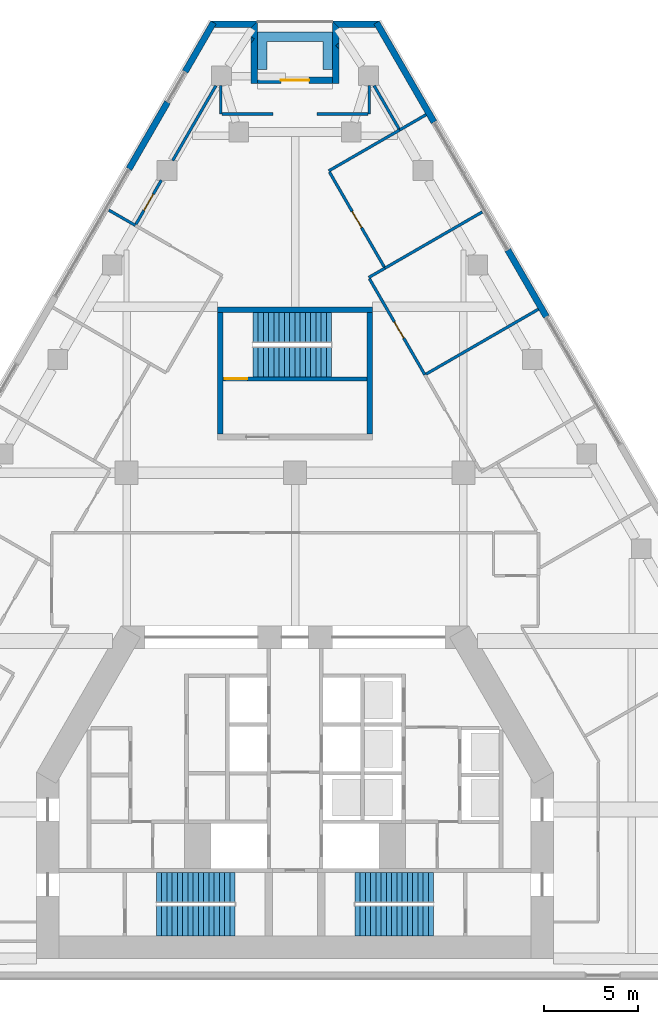
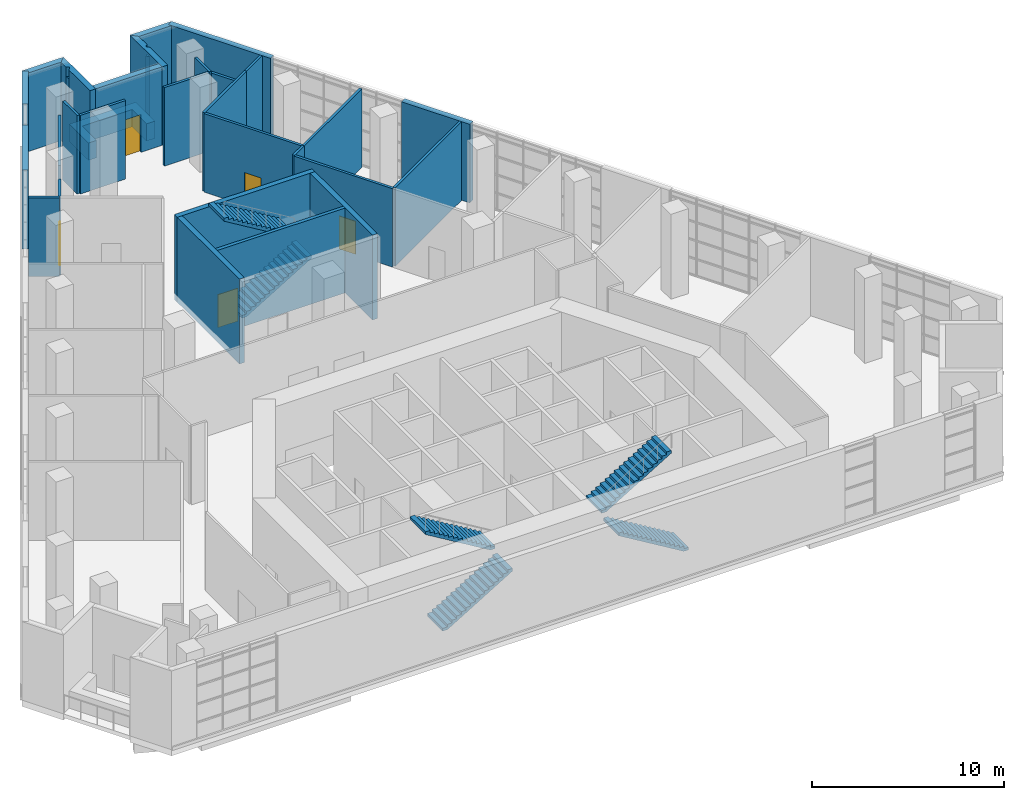
# One storey, part 16 of 18: 31 walls, 6 stair flights, 5 doors, 5 openings, 3 elements without a shape of their own.
"""IFC4 building model written with IfcOpenShell, lengths in metres."""

from ifc_helpers import new_model, si_unit, direction, frame, frame_2d, origin, place, context, subcontext, project, spatial, polyline, rectangle, outline, extrude, material, layer, layer_set, type_object, element, fill, aggregate, save


model = new_model("IFC4")

# Units and contexts
model_context = context("Model", 3, precision=1e-05, world=origin(), true_north=direction((0.0, 1.0)))
body_context = subcontext(model_context, "Body", "Model", "MODEL_VIEW")
ifc_project = project(units=[si_unit("LENGTHUNIT", "METRE"), si_unit("AREAUNIT", "SQUARE_METRE"), si_unit("VOLUMEUNIT", "CUBIC_METRE"), si_unit("PLANEANGLEUNIT", "RADIAN"), si_unit("MASSUNIT", "GRAM", prefix="KILO")], contexts=[model_context])

# Site, building, storey
site_placement = place(None, origin())
site = spatial("IfcSite", under=ifc_project, at=site_placement, CompositionType="ELEMENT")
building_placement = place(site_placement, origin())
building = spatial("IfcBuilding", under=site, at=building_placement, Name="Fogline Exchange Tower", CompositionType="ELEMENT")
storey_placement = place(building_placement, frame((0.0, 0.0, 137.5)))
storey = spatial("IfcBuildingStorey", under=building, at=storey_placement, Name="L30", CompositionType="ELEMENT", Elevation=137.5)

# Wall, opening, door
ifc_material_1 = material(Name="Concrete C40", Category="concrete")
ifc_layer_1 = layer(ifc_material_1, 0.199951171875)
ifc_layer_set_1 = layer_set([ifc_layer_1], Name="CW20R")
wall_type_1 = type_object("IfcWallType", Name="CW20R", PredefinedType="SOLIDWALL", material=ifc_layer_set_1)
wall_1_placement = place(storey_placement, frame((-3.85009765625, 32.007080078125, -0.39990234375), z_axis=(0.0, 0.0, 1.0), x_axis=(1.0, 0.0, 0.0)))
wall_1 = element("IfcWall", 1, at=wall_1_placement, inside=storey, type_object=wall_type_1, Name="Stair enclosure wall ST3", PredefinedType="SOLIDWALL", context=body_context, shape_type="SweptSolid", body=[
    extrude(rectangle(XDim=7.7001953125, YDim=0.199951171875, at=frame_2d((3.85009765625, 0.0))), origin(), (0.0, 0.0, 1.0), 5.39990234375),
])
opening_1_placement = place(wall_1_placement, frame((0.10009765625, 0.0, 0.39990234375)))
opening_1 = element("IfcOpeningElement", 2, at=opening_1_placement, cuts=wall_1, Name="Opening T09-C023", PredefinedType="OPENING", context=body_context, shape_type="SweptSolid", body=[
    extrude(rectangle(XDim=1.199951171875, YDim=2.10009765625, at=frame_2d((0.60009765625, 1.050048828125))), frame((0.0, 0.10986328125, 0.0), z_axis=(0.0, -1.0, 0.0), x_axis=(1.0, 0.0, 0.0)), (0.0, 0.0, 1.0), 0.219970703125),
])
ifc_material_2 = material(Name="Steel and timber fire door", Category="steel")
door_type_1 = type_object("IfcDoorType", Name="D-ST1", OperationType="SINGLE_SWING_LEFT", PredefinedType="DOOR", material=ifc_material_2)
door_1_placement = place(opening_1_placement, origin())
door_1 = element("IfcDoor", 3, at=door_1_placement, inside=storey, type_object=door_type_1, Name="Stair door ST3", OperationType="SINGLE_SWING_LEFT", OverallHeight=2.10009765625, OverallWidth=1.199951171875, PredefinedType="DOOR", context=body_context, shape_type="SweptSolid", body=[
    extrude(rectangle(XDim=1.199951171875, YDim=2.10009765625, at=frame_2d((0.60009765625, 1.050048828125))), frame((0.0, 0.02490234375, 0.0), z_axis=(0.0, -1.0, 0.0), x_axis=(1.0, 0.0, 0.0)), (0.0, 0.0, 1.0), 0.050048828125),
])
fill(opening_1, door_1)

# Walls
ifc_layer_2 = layer(ifc_material_1, 0.300048828125)
ifc_layer_set_2 = layer_set([ifc_layer_2], Name="CW30")
wall_type_2 = type_object("IfcWallType", Name="CW30", PredefinedType="SOLIDWALL", material=ifc_layer_set_2)
wall_2_placement = place(storey_placement, frame((-4.14990234375, 35.70703125, -0.39990234375), z_axis=(0.0, 0.0, 1.0), x_axis=(1.0, 0.0, 0.0)))
element("IfcWall", 4, at=wall_2_placement, inside=storey, type_object=wall_type_2, Name="Stair enclosure wall ST3", PredefinedType="SOLIDWALL", context=body_context, shape_type="SweptSolid", body=[
    extrude(rectangle(XDim=8.2998046875, YDim=0.300048828125, at=frame_2d((4.14990234375, 0.0))), origin(), (0.0, 0.0, 1.0), 5.39990234375),
])
for number, where, z_axis, x_axis, name in (
    (5, (-4.0, 29.056884765625, -0.39990234375), (0.0, 0.0, 1.0), (0.0, 1.0, 0.0), "Stair enclosure wall ST3"),
    (6, (4.0, 29.056884765625, -0.39990234375), (0.0, 0.0, 1.0), (0.0, 1.0, 0.0), "Stair enclosure wall ST3"),
):
    element("IfcWall", number, at=place(storey_placement, frame(where, z_axis=z_axis, x_axis=x_axis)), inside=storey, type_object=wall_type_2, Name=name, PredefinedType="SOLIDWALL", context=body_context, shape_type="SweptSolid", body=[
        extrude(rectangle(XDim=6.5, YDim=0.300048828125, at=frame_2d((3.25, 0.0))), origin(), (0.0, 0.0, 1.0), 5.39990234375),
    ])
ifc_material_3 = material(Name="Brick masonry", Category="masonry")
ifc_layer_3 = layer(ifc_material_3, 0.340087890625)
ifc_layer_set_3 = layer_set([ifc_layer_3], Name="FW1")
wall_type_3 = type_object("IfcWallType", Name="FW1", PredefinedType="SOLIDWALL", material=ifc_layer_set_3)
wall_3_placement = place(storey_placement, frame((13.426025390625, 35.33154296875, 0.0), z_axis=(0.0, 0.0, 1.0), x_axis=(-0.500018604663, 0.866014662111, 0.0)))
element("IfcWall", 7, at=wall_3_placement, inside=storey, type_object=wall_type_3, Name="Brick wall L30 E bay 4", PredefinedType="SOLIDWALL", context=body_context, shape_type="SweptSolid", body=[
    extrude(rectangle(XDim=4.114990234375, YDim=0.340087890625, at=frame_2d((2.0576171875, 0.0))), origin(), (0.0, 0.0, 1.0), 5.0),
])
wall_4_placement = place(storey_placement, frame((7.426025390625, 45.723876953125, 0.0), z_axis=(0.0, 0.0, 1.0), x_axis=(-0.500018155671, 0.866014921349, 0.0)))
element("IfcWall", 8, at=wall_4_placement, inside=storey, type_object=wall_type_3, Name="Brick wall L30 E bay 5", PredefinedType="SOLIDWALL", context=body_context, shape_type="SweptSolid", body=[
    extrude(rectangle(XDim=6.146240234375, YDim=0.340087890625, at=frame_2d((3.0732421875, 0.0))), origin(), (0.0, 0.0, 1.0), 5.0),
])
wall_5_placement = place(storey_placement, origin())
element("IfcWall", 9, at=wall_5_placement, inside=storey, type_object=wall_type_3, Name="Brick wall L30 N-c1", PredefinedType="SOLIDWALL", context=body_context, shape_type="SweptSolid", body=[
    extrude(outline(polyline([(1.9990234375, 51.13232421875), (4.5009765625, 51.13232421875), (4.501220703125, 51.131591796875), (4.206298828125, 50.96142578125), (4.3046875, 50.791015625), (2.33984375, 50.791015625), (1.998779296875, 51.132080078125), (1.9990234375, 51.13232421875)])), origin(), (0.0, 0.0, 1.0), 5.0),
])
wall_6_placement = place(storey_placement, origin())
element("IfcWall", 10, at=wall_6_placement, inside=storey, type_object=wall_type_3, Name="Brick wall L30 N-s1", PredefinedType="SOLIDWALL", context=body_context, shape_type="SweptSolid", body=[
    extrude(outline(polyline([(2.340576171875, 49.641845703125), (2.18798828125, 49.81005859375), (2.340576171875, 49.948486328125), (2.340576171875, 49.641845703125)])), origin(), (0.0, 0.0, 1.0), 4.39990234375),
])
wall_7_placement = place(storey_placement, origin())
element("IfcWall", 11, at=wall_7_placement, inside=storey, type_object=wall_type_3, Name="Brick wall L30 N-s1", PredefinedType="SOLIDWALL", context=body_context, shape_type="SweptSolid", body=[
    extrude(outline(polyline([(1.99951171875, 47.791015625), (1.99951171875, 51.1328125), (1.999755859375, 51.1328125), (2.340576171875, 50.7919921875), (2.340576171875, 49.948486328125), (2.18798828125, 49.81005859375), (2.340576171875, 49.641845703125), (2.340576171875, 47.791015625), (1.99951171875, 47.791015625)])), origin(), (0.0, 0.0, 1.0), 5.0),
])

# Wall, opening, door
wall_8_placement = place(storey_placement, frame((2.0, 47.961669921875, 0.0), z_axis=(0.0, 0.0, 1.0), x_axis=(-1.0, 0.0, 0.0)))
wall_8 = element("IfcWall", 12, at=wall_8_placement, inside=storey, type_object=wall_type_3, Name="Brick wall L30 N-bk", PredefinedType="SOLIDWALL", context=body_context, shape_type="SweptSolid", body=[
    extrude(rectangle(XDim=4.0, YDim=0.340087890625, at=frame_2d((2.0, 0.0))), origin(), (0.0, 0.0, 1.0), 5.0),
])
opening_2_placement = place(wall_8_placement, frame((1.25, 0.0, 0.0)))
opening_2 = element("IfcOpeningElement", 13, at=opening_2_placement, cuts=wall_8, Name="Opening T09-E141", PredefinedType="OPENING", context=body_context, shape_type="SweptSolid", body=[
    extrude(rectangle(XDim=1.5, YDim=2.39990234375, at=frame_2d((0.75, 1.199951171875))), frame((0.0, 0.18017578125, 0.0), z_axis=(0.0, -1.0, 0.0), x_axis=(1.0, 0.0, 0.0)), (0.0, 0.0, 1.0), 0.360107421875),
])
ifc_material_4 = material(Name="Aluminium and glass", Category="aluminium")
door_type_2 = type_object("IfcDoorType", Name="ED4", OperationType="SINGLE_SWING_LEFT", PredefinedType="DOOR", material=ifc_material_4)
door_2_placement = place(opening_2_placement, frame((1.5, 0.0, 0.0), z_axis=(0.0, 0.0, 1.0), x_axis=(-1.0, 0.0, 0.0)))
door_2 = element("IfcDoor", 14, at=door_2_placement, inside=storey, type_object=door_type_2, Name="Balcony door L30 N", OperationType="DOUBLE_DOOR_SINGLE_SWING", OverallHeight=2.39990234375, OverallWidth=1.5, PredefinedType="DOOR", context=body_context, shape_type="SweptSolid", body=[
    extrude(rectangle(XDim=1.5, YDim=2.39990234375, at=frame_2d((0.75, 1.199951171875))), frame((0.0, 0.02490234375, 0.0), z_axis=(0.0, -1.0, 0.0), x_axis=(1.0, 0.0, 0.0)), (0.0, 0.0, 1.0), 0.050048828125),
])
fill(opening_2, door_2)

# Walls
wall_9_placement = place(storey_placement, origin())
element("IfcWall", 15, at=wall_9_placement, inside=storey, type_object=wall_type_3, Name="Brick wall L30 N-s2", PredefinedType="SOLIDWALL", context=body_context, shape_type="SweptSolid", body=[
    extrude(outline(polyline([(-2.340576171875, 50.291748046875), (-2.180419921875, 50.170654296875), (-2.340576171875, 49.958740234375), (-2.340576171875, 50.291748046875)])), origin(), (0.0, 0.0, 1.0), 4.39990234375),
])
wall_10_placement = place(storey_placement, origin())
element("IfcWall", 16, at=wall_10_placement, inside=storey, type_object=wall_type_3, Name="Brick wall L30 N-s2", PredefinedType="SOLIDWALL", context=body_context, shape_type="SweptSolid", body=[
    extrude(outline(polyline([(-1.99951171875, 47.791015625), (-2.340576171875, 47.791015625), (-2.340576171875, 49.958740234375), (-2.180419921875, 50.170654296875), (-2.340576171875, 50.291748046875), (-2.340576171875, 50.7919921875), (-1.999755859375, 51.1328125), (-1.99951171875, 51.1328125), (-1.99951171875, 47.791015625)])), origin(), (0.0, 0.0, 1.0), 5.0),
])
wall_11_placement = place(storey_placement, origin())
element("IfcWall", 17, at=wall_11_placement, inside=storey, type_object=wall_type_3, Name="Brick wall L30 N-c2", PredefinedType="SOLIDWALL", context=body_context, shape_type="SweptSolid", body=[
    extrude(outline(polyline([(-4.3046875, 50.791015625), (-4.206298828125, 50.96142578125), (-4.501220703125, 51.131591796875), (-4.5009765625, 51.13232421875), (-1.9990234375, 51.13232421875), (-1.998779296875, 51.132080078125), (-2.33984375, 50.791015625), (-4.3046875, 50.791015625)])), origin(), (0.0, 0.0, 1.0), 5.0),
])
wall_12_placement = place(storey_placement, frame((-4.352783203125, 51.046630859375, 0.0), z_axis=(0.0, 0.0, 1.0), x_axis=(-0.499985053252, -0.866034033121, 0.0)))
element("IfcWall", 18, at=wall_12_placement, inside=storey, type_object=wall_type_3, Name="Brick wall L30 W bay 1", PredefinedType="SOLIDWALL", context=body_context, shape_type="SweptSolid", body=[
    extrude(rectangle(XDim=3.03125, YDim=0.340087890625, at=frame_2d((1.515625, 0.0))), origin(), (0.0, 0.0, 1.0), 5.0),
])
wall_13_placement = place(storey_placement, frame((-6.81103515625, 46.7890625, 0.0), z_axis=(0.0, 0.0, 1.0), x_axis=(-0.499974107589, -0.866040352259, 0.0)))
element("IfcWall", 19, at=wall_13_placement, inside=storey, type_object=wall_type_3, Name="Brick wall L30 W bay 2", PredefinedType="SOLIDWALL", context=body_context, shape_type="SweptSolid", body=[
    extrude(rectangle(XDim=4.114990234375, YDim=0.340087890625, at=frame_2d((2.0576171875, 0.0))), origin(), (0.0, 0.0, 1.0), 5.0),
])
ifc_material_5 = material(Name="Concrete C30", Category="concrete")
ifc_layer_4 = layer(ifc_material_5, 0.199951171875)
ifc_layer_set_4 = layer_set([ifc_layer_4], Name="PL1")
wall_type_4 = type_object("IfcWallType", Name="PL1", PredefinedType="USERDEFINED", material=ifc_layer_set_4)
wall_14_placement = place(storey_placement, origin())
element("IfcWall", 20, at=wall_14_placement, inside=storey, type_object=wall_type_4, Name="PLANTER balcony L30 N", ObjectType="PLANTER", PredefinedType="USERDEFINED", context=body_context, shape_type="SweptSolid", body=[
    extrude(outline(polyline([(-1.5, 50.53173828125), (-2.0, 50.53173828125), (-2.0, 50.03173828125), (-2.0, 48.53173828125), (-1.5, 48.53173828125), (-1.5, 50.03173828125), (1.5, 50.03173828125), (1.5, 48.53173828125), (2.0, 48.53173828125), (2.0, 50.03173828125), (2.0, 50.53173828125), (1.5, 50.53173828125), (-1.5, 50.53173828125)])), origin(), (0.0, 0.0, 1.0), 1.10009765625),
])
ifc_material_6 = material(Name="Plasterboard demising partition with mineral wool and acoustic board")
ifc_layer_5 = layer(ifc_material_6, 0.14990234375)
ifc_layer_set_5 = layer_set([ifc_layer_5], Name="PW3")
wall_type_5 = type_object("IfcWallType", Name="PW3", PredefinedType="PARTITIONING", material=ifc_layer_set_5)
wall_15_placement = place(storey_placement, frame((7.002685546875, 32.266845703125, 0.0), z_axis=(0.0, 0.0, 1.0), x_axis=(0.866034706034, 0.499983887685, 0.0)))
element("IfcWall", 21, at=wall_15_placement, inside=storey, type_object=wall_type_5, Name="wall-L30-W023", PredefinedType="PARTITIONING", context=body_context, shape_type="SweptSolid", body=[
    extrude(rectangle(XDim=6.925048828125, YDim=0.14990234375, at=frame_2d((3.46240234375, 0.0))), origin(), (0.0, 0.0, 1.0), 5.0),
])
wall_16_placement = place(storey_placement, frame((4.8037109375, 37.92529296875, 0.0), z_axis=(0.0, 0.0, 1.0), x_axis=(0.866031096941, 0.499990139034, 0.0)))
element("IfcWall", 22, at=wall_16_placement, inside=storey, type_object=wall_type_5, Name="wall-L30-W027", PredefinedType="PARTITIONING", context=body_context, shape_type="SweptSolid", body=[
    extrude(rectangle(XDim=6.0, YDim=0.14990234375, at=frame_2d((3.0, 0.0))), origin(), (0.0, 0.0, 1.0), 5.0),
])

# Wall, opening, door
wall_17_placement = place(storey_placement, frame((6.937744140625, 32.229248046875, 0.0), z_axis=(0.0, 0.0, 1.0), x_axis=(-0.499994727438, 0.866028447878, 0.0)))
wall_17 = element("IfcWall", 23, at=wall_17_placement, inside=storey, type_object=wall_type_5, Name="wall-L30-W028", PredefinedType="PARTITIONING", context=body_context, shape_type="SweptSolid", body=[
    extrude(rectangle(XDim=5.9248046875, YDim=0.14990234375, at=frame_2d((2.96240234375, 0.0))), origin(), (0.0, 0.0, 1.0), 5.0),
])
opening_3_placement = place(wall_17_placement, frame((2.26123046875, 0.0, 0.0)))
opening_3 = element("IfcOpeningElement", 24, at=opening_3_placement, cuts=wall_17, Name="Opening T09-D010", PredefinedType="OPENING", context=body_context, shape_type="SweptSolid", body=[
    extrude(rectangle(XDim=1.0, YDim=2.10009765625, at=frame_2d((0.5, 1.050048828125))), frame((0.0, 0.0849609375, 0.0), z_axis=(0.0, -1.0, 0.0), x_axis=(1.0, 0.0, 0.0)), (0.0, 0.0, 1.0), 0.169921875),
])
ifc_material_7 = material(Name="Fire-rated timber door leaf with steel frame", Category="steel")
door_type_3 = type_object("IfcDoorType", Name="D3", OperationType="SINGLE_SWING_LEFT", PredefinedType="DOOR", material=ifc_material_7)
door_3_placement = place(opening_3_placement, frame((1.0, 0.0, 0.0), z_axis=(0.0, 0.0, 1.0), x_axis=(-1.0, 0.0, 0.0)))
door_3 = element("IfcDoor", 25, at=door_3_placement, inside=storey, type_object=door_type_3, Name="door-L30-D010", OperationType="SINGLE_SWING_RIGHT", OverallHeight=2.10009765625, OverallWidth=1.0, PredefinedType="DOOR", context=body_context, shape_type="SweptSolid", body=[
    extrude(rectangle(XDim=1.0, YDim=2.10009765625, at=frame_2d((0.5, 1.050048828125))), frame((0.0, 0.02490234375, 0.0), z_axis=(0.0, -1.0, 0.0), x_axis=(1.0, 0.0, 0.0)), (0.0, 0.0, 1.0), 0.050048828125),
])
fill(opening_3, door_3)

# Wall
wall_18_placement = place(storey_placement, frame((3.937744140625, 37.42529296875, 0.0), z_axis=(0.0, 0.0, 1.0), x_axis=(0.866010750942, 0.50002537861, 0.0)))
element("IfcWall", 26, at=wall_18_placement, inside=storey, type_object=wall_type_5, Name="wall-L30-W029", PredefinedType="PARTITIONING", context=body_context, shape_type="SweptSolid", body=[
    extrude(rectangle(XDim=1.0, YDim=0.14990234375, at=frame_2d((0.5, 0.0))), origin(), (0.0, 0.0, 1.0), 5.0),
])

# Wall, opening, door
wall_19_placement = place(storey_placement, frame((4.766357421875, 37.990478515625, 0.0), z_axis=(0.0, 0.0, 1.0), x_axis=(-0.500012662943, 0.866018092707, 0.0)))
wall_19 = element("IfcWall", 27, at=wall_19_placement, inside=storey, type_object=wall_type_5, Name="wall-L30-W030", PredefinedType="PARTITIONING", context=body_context, shape_type="SweptSolid", body=[
    extrude(rectangle(XDim=5.849853515625, YDim=0.14990234375, at=frame_2d((2.9248046875, 0.0))), origin(), (0.0, 0.0, 1.0), 5.0),
])
opening_4_placement = place(wall_19_placement, frame((2.425048828125, 0.0, 0.0)))
opening_4 = element("IfcOpeningElement", 28, at=opening_4_placement, cuts=wall_19, Name="Opening T09-D011", PredefinedType="OPENING", context=body_context, shape_type="SweptSolid", body=[
    extrude(rectangle(XDim=1.0, YDim=2.10009765625, at=frame_2d((0.5, 1.050048828125))), frame((0.0, 0.0849609375, 0.0), z_axis=(0.0, -1.0, 0.0), x_axis=(1.0, 0.0, 0.0)), (0.0, 0.0, 1.0), 0.169921875),
])
door_4_placement = place(opening_4_placement, frame((1.0, 0.0, 0.0), z_axis=(0.0, 0.0, 1.0), x_axis=(-1.0, 0.0, 0.0)))
door_4 = element("IfcDoor", 29, at=door_4_placement, inside=storey, type_object=door_type_3, Name="door-L30-D011", OperationType="SINGLE_SWING_RIGHT", OverallHeight=2.10009765625, OverallWidth=1.0, PredefinedType="DOOR", context=body_context, shape_type="SweptSolid", body=[
    extrude(rectangle(XDim=1.0, YDim=2.10009765625, at=frame_2d((0.5, 1.050048828125))), frame((0.0, 0.02490234375, 0.0), z_axis=(0.0, -1.0, 0.0), x_axis=(1.0, 0.0, 0.0)), (0.0, 0.0, 1.0), 0.050048828125),
])
fill(opening_4, door_4)

# Walls
wall_20_placement = place(storey_placement, frame((1.8037109375, 43.12158203125, 0.0), z_axis=(0.0, 0.0, 1.0), x_axis=(0.866032173762, 0.499988273872, 0.0)))
element("IfcWall", 30, at=wall_20_placement, inside=storey, type_object=wall_type_5, Name="wall-L30-W031", PredefinedType="PARTITIONING", context=body_context, shape_type="SweptSolid", body=[
    extrude(rectangle(XDim=4.37255859375, YDim=0.14990234375, at=frame_2d((2.186279296875, 0.0))), origin(), (0.0, 0.0, 1.0), 5.0),
])
wall_21_placement = place(storey_placement, frame((5.590576171875, 45.307861328125, 0.0), z_axis=(0.0, 0.0, 1.0), x_axis=(0.866028203713, 0.499995150351, 0.0)))
element("IfcWall", 31, at=wall_21_placement, inside=storey, type_object=wall_type_5, Name="wall-L30-W032", PredefinedType="PARTITIONING", context=body_context, shape_type="SweptSolid", body=[
    extrude(rectangle(XDim=1.62744140625, YDim=0.14990234375, at=frame_2d((0.813720703125, 0.0))), origin(), (0.0, 0.0, 1.0), 5.0),
])

# Wall, opening, door
wall_22_placement = place(storey_placement, frame((-8.49560546875, 40.2763671875, 0.0), z_axis=(0.0, 0.0, 1.0), x_axis=(0.500037236202, 0.866003904386, 0.0)))
wall_22 = element("IfcWall", 32, at=wall_22_placement, inside=storey, type_object=wall_type_5, Name="wall-L30-W033", PredefinedType="PARTITIONING", context=body_context, shape_type="SweptSolid", body=[
    extrude(rectangle(XDim=2.707763671875, YDim=0.14990234375, at=frame_2d((1.35400390625, 0.0))), origin(), (0.0, 0.0, 1.0), 4.199951171875),
])
opening_5_placement = place(wall_22_placement, frame((0.85400390625, 0.0, 0.0)))
opening_5 = element("IfcOpeningElement", 33, at=opening_5_placement, cuts=wall_22, Name="Opening T09-D012", PredefinedType="OPENING", context=body_context, shape_type="SweptSolid", body=[
    extrude(rectangle(XDim=1.0, YDim=2.10009765625, at=frame_2d((0.5, 1.050048828125))), frame((0.0, 0.0849609375, 0.0), z_axis=(0.0, -1.0, 0.0), x_axis=(1.0, 0.0, 0.0)), (0.0, 0.0, 1.0), 0.169921875),
])
door_5_placement = place(opening_5_placement, origin())
door_5 = element("IfcDoor", 34, at=door_5_placement, inside=storey, type_object=door_type_3, Name="door-L30-D012", OperationType="SINGLE_SWING_LEFT", OverallHeight=2.10009765625, OverallWidth=1.0, PredefinedType="DOOR", context=body_context, shape_type="SweptSolid", body=[
    extrude(rectangle(XDim=1.0, YDim=2.10009765625, at=frame_2d((0.5, 1.050048828125))), frame((0.0, 0.02490234375, 0.0), z_axis=(0.0, -1.0, 0.0), x_axis=(1.0, 0.0, 0.0)), (0.0, 0.0, 1.0), 0.050048828125),
])
fill(opening_5, door_5)

# Walls
wall_23_placement = place(storey_placement, frame((-6.535400390625, 43.67138671875, 0.0), z_axis=(0.0, 0.0, 1.0), x_axis=(0.500004591975, 0.86602275259, 0.0)))
element("IfcWall", 35, at=wall_23_placement, inside=storey, type_object=wall_type_5, Name="wall-L30-W034", PredefinedType="PARTITIONING", context=body_context, shape_type="SweptSolid", body=[
    extrude(rectangle(XDim=4.619140625, YDim=0.14990234375, at=frame_2d((2.3095703125, 0.0))), origin(), (0.0, 0.0, 1.0), 4.199951171875),
])
wall_24_placement = place(storey_placement, frame((-3.967529296875, 47.671630859375, 0.0), z_axis=(0.0, 0.0, 1.0), x_axis=(0.0, -1.0, 0.0)))
element("IfcWall", 36, at=wall_24_placement, inside=storey, type_object=wall_type_5, Name="wall-L30-W035", PredefinedType="PARTITIONING", context=body_context, shape_type="SweptSolid", body=[
    extrude(rectangle(XDim=1.50732421875, YDim=0.14990234375, at=frame_2d((0.753662109375, 0.0))), origin(), (0.0, 0.0, 1.0), 5.0),
])
for number, where, z_axis, x_axis, name in (
    (37, (-3.892578125, 46.164306640625, 0.0), (0.0, 0.0, 1.0), (1.0, 0.0, 0.0), "wall-L30-W036"),
    (38, (1.169677734375, 46.164306640625, 0.0), (0.0, 0.0, 1.0), (1.0, 0.0, 0.0), "wall-L30-W037"),
):
    element("IfcWall", number, at=place(storey_placement, frame(where, z_axis=z_axis, x_axis=x_axis)), inside=storey, type_object=wall_type_5, Name=name, PredefinedType="PARTITIONING", context=body_context, shape_type="SweptSolid", body=[
        extrude(rectangle(XDim=2.722900390625, YDim=0.14990234375, at=frame_2d((1.361328125, 0.0))), origin(), (0.0, 0.0, 1.0), 5.0),
    ])
wall_25_placement = place(storey_placement, frame((3.967529296875, 46.164306640625, 0.0), z_axis=(0.0, 0.0, 1.0), x_axis=(0.0, 1.0, 0.0)))
element("IfcWall", 39, at=wall_25_placement, inside=storey, type_object=wall_type_5, Name="wall-L30-W038", PredefinedType="PARTITIONING", context=body_context, shape_type="SweptSolid", body=[
    extrude(rectangle(XDim=1.50732421875, YDim=0.14990234375, at=frame_2d((0.753662109375, 0.0))), origin(), (0.0, 0.0, 1.0), 5.0),
])
wall_26_placement = place(storey_placement, frame((4.225830078125, 47.671630859375, 0.0), z_axis=(0.0, 0.0, 1.0), x_axis=(0.499977226672, -0.866038551572, 0.0)))
element("IfcWall", 40, at=wall_26_placement, inside=storey, type_object=wall_type_5, Name="wall-L30-W039", PredefinedType="PARTITIONING", context=body_context, shape_type="SweptSolid", body=[
    extrude(rectangle(XDim=2.654296875, YDim=0.14990234375, at=frame_2d((1.3271484375, 0.0))), origin(), (0.0, 0.0, 1.0), 4.199951171875),
])
wall_27_placement = place(storey_placement, frame((-8.532958984375, 40.211181640625, 0.0), z_axis=(0.0, 0.0, 1.0), x_axis=(-0.866028203713, 0.499995150351, 0.0)))
element("IfcWall", 41, at=wall_27_placement, inside=storey, type_object=wall_type_5, Name="wall-L30-W046", PredefinedType="PARTITIONING", context=body_context, shape_type="SweptSolid", body=[
    extrude(rectangle(XDim=1.62744140625, YDim=0.14990234375, at=frame_2d((0.813720703125, 0.0))), origin(), (0.0, 0.0, 1.0), 5.0),
])

# Stair, stair flights
stair_type = type_object("IfcStairType", Name="STR32-1688", PredefinedType="HALF_TURN_STAIR", material=ifc_material_1)
stair_1_placement = place(storey_placement, origin())
stair_1 = element("IfcStair", 42, at=stair_1_placement, inside=storey, type_object=stair_type, Name="Stair ST1", PredefinedType="HALF_TURN_STAIR")
stair_flight_type = type_object("IfcStairFlightType", Name="SF16-1688", PredefinedType="STRAIGHT", material=ifc_material_1)
stair_flight_1_placement = place(storey_placement, frame((-7.39990234375, 3.050048828125, 0.0), z_axis=(0.0, 0.0, 1.0), x_axis=(1.0, 0.0, 0.0)))
stair_flight_1 = element("IfcStairFlight", 43, at=stair_flight_1_placement, type_object=stair_flight_type, Name="ST1 flight 1", NumberOfRisers=16, NumberOfTreads=15, PredefinedType="STRAIGHT", RiserHeight=0.16875, TreadLength=0.28, context=body_context, shape_type="SweptSolid", body=[
    extrude(outline(polyline([(0.0, 0.0), (0.0, 0.168701171875), (0.280029296875, 0.168701171875), (0.280029296875, 0.33740234375), (0.56005859375, 0.33740234375), (0.56005859375, 0.50634765625), (0.840087890625, 0.50634765625), (0.840087890625, 0.675048828125), (1.1201171875, 0.675048828125), (1.1201171875, 0.84375), (1.39990234375, 0.84375), (1.39990234375, 1.012451171875), (1.679931640625, 1.012451171875), (1.679931640625, 1.18115234375), (1.9599609375, 1.18115234375), (1.9599609375, 1.35009765625), (2.239990234375, 1.35009765625), (2.239990234375, 1.518798828125), (2.52001953125, 1.518798828125), (2.52001953125, 1.6875), (2.800048828125, 1.6875), (2.800048828125, 1.856201171875), (3.080078125, 1.856201171875), (3.080078125, 2.02490234375), (3.360107421875, 2.02490234375), (3.360107421875, 2.19384765625), (3.639892578125, 2.19384765625), (3.639892578125, 2.362548828125), (3.919921875, 2.362548828125), (3.919921875, 2.53125), (4.199951171875, 2.53125), (4.199951171875, 2.699951171875), (4.199951171875, 2.356201171875), (0.29052734375, 0.0), (0.0, 0.0)])), frame((0.0, 0.800048828125, 0.0), z_axis=(0.0, -1.0, 0.0), x_axis=(1.0, 0.0, 0.0)), (0.0, 0.0, 1.0), 1.60009765625),
])
stair_flight_2_placement = place(storey_placement, frame((-3.199951171875, 4.85009765625, 2.699951171875), z_axis=(0.0, 0.0, 1.0), x_axis=(-1.0, 0.0, 0.0)))
stair_flight_2 = element("IfcStairFlight", 44, at=stair_flight_2_placement, type_object=stair_flight_type, Name="ST1 flight 2", NumberOfRisers=16, NumberOfTreads=15, PredefinedType="STRAIGHT", RiserHeight=0.16875, TreadLength=0.28, context=body_context, shape_type="SweptSolid", body=[
    extrude(outline(polyline([(0.0, 0.0), (0.0, 0.168701171875), (0.280029296875, 0.168701171875), (0.280029296875, 0.33740234375), (0.56005859375, 0.33740234375), (0.56005859375, 0.50634765625), (0.840087890625, 0.50634765625), (0.840087890625, 0.675048828125), (1.1201171875, 0.675048828125), (1.1201171875, 0.84375), (1.39990234375, 0.84375), (1.39990234375, 1.012451171875), (1.679931640625, 1.012451171875), (1.679931640625, 1.18115234375), (1.9599609375, 1.18115234375), (1.9599609375, 1.35009765625), (2.239990234375, 1.35009765625), (2.239990234375, 1.518798828125), (2.52001953125, 1.518798828125), (2.52001953125, 1.6875), (2.800048828125, 1.6875), (2.800048828125, 1.856201171875), (3.080078125, 1.856201171875), (3.080078125, 2.02490234375), (3.360107421875, 2.02490234375), (3.360107421875, 2.19384765625), (3.639892578125, 2.19384765625), (3.639892578125, 2.362548828125), (3.919921875, 2.362548828125), (3.919921875, 2.53125), (4.199951171875, 2.53125), (4.199951171875, 2.699951171875), (4.199951171875, 2.356201171875), (0.29052734375, 0.0), (0.0, 0.0)])), frame((0.0, 0.800048828125, 0.0), z_axis=(0.0, -1.0, 0.0), x_axis=(1.0, 0.0, 0.0)), (0.0, 0.0, 1.0), 1.60009765625),
])
aggregate(stair_1, [stair_flight_1, stair_flight_2])

stair_2_placement = place(storey_placement, origin())
stair_2 = element("IfcStair", 45, at=stair_2_placement, inside=storey, type_object=stair_type, Name="Stair ST2", PredefinedType="HALF_TURN_STAIR")
stair_flight_3_placement = place(storey_placement, frame((7.39990234375, 3.050048828125, 0.0), z_axis=(0.0, 0.0, 1.0), x_axis=(-1.0, 0.0, 0.0)))
stair_flight_3 = element("IfcStairFlight", 46, at=stair_flight_3_placement, type_object=stair_flight_type, Name="ST2 flight 1", NumberOfRisers=16, NumberOfTreads=15, PredefinedType="STRAIGHT", RiserHeight=0.16875, TreadLength=0.28, context=body_context, shape_type="SweptSolid", body=[
    extrude(outline(polyline([(0.0, 0.0), (0.0, 0.168701171875), (0.280029296875, 0.168701171875), (0.280029296875, 0.33740234375), (0.56005859375, 0.33740234375), (0.56005859375, 0.50634765625), (0.840087890625, 0.50634765625), (0.840087890625, 0.675048828125), (1.1201171875, 0.675048828125), (1.1201171875, 0.84375), (1.39990234375, 0.84375), (1.39990234375, 1.012451171875), (1.679931640625, 1.012451171875), (1.679931640625, 1.18115234375), (1.9599609375, 1.18115234375), (1.9599609375, 1.35009765625), (2.239990234375, 1.35009765625), (2.239990234375, 1.518798828125), (2.52001953125, 1.518798828125), (2.52001953125, 1.6875), (2.800048828125, 1.6875), (2.800048828125, 1.856201171875), (3.080078125, 1.856201171875), (3.080078125, 2.02490234375), (3.360107421875, 2.02490234375), (3.360107421875, 2.19384765625), (3.639892578125, 2.19384765625), (3.639892578125, 2.362548828125), (3.919921875, 2.362548828125), (3.919921875, 2.53125), (4.199951171875, 2.53125), (4.199951171875, 2.699951171875), (4.199951171875, 2.356201171875), (0.29052734375, 0.0), (0.0, 0.0)])), frame((0.0, 0.800048828125, 0.0), z_axis=(0.0, -1.0, 0.0), x_axis=(1.0, 0.0, 0.0)), (0.0, 0.0, 1.0), 1.60009765625),
])
stair_flight_4_placement = place(storey_placement, frame((3.199951171875, 4.85009765625, 2.699951171875), z_axis=(0.0, 0.0, 1.0), x_axis=(1.0, 0.0, 0.0)))
stair_flight_4 = element("IfcStairFlight", 47, at=stair_flight_4_placement, type_object=stair_flight_type, Name="ST2 flight 2", NumberOfRisers=16, NumberOfTreads=15, PredefinedType="STRAIGHT", RiserHeight=0.16875, TreadLength=0.28, context=body_context, shape_type="SweptSolid", body=[
    extrude(outline(polyline([(0.0, 0.0), (0.0, 0.168701171875), (0.280029296875, 0.168701171875), (0.280029296875, 0.33740234375), (0.56005859375, 0.33740234375), (0.56005859375, 0.50634765625), (0.840087890625, 0.50634765625), (0.840087890625, 0.675048828125), (1.1201171875, 0.675048828125), (1.1201171875, 0.84375), (1.39990234375, 0.84375), (1.39990234375, 1.012451171875), (1.679931640625, 1.012451171875), (1.679931640625, 1.18115234375), (1.9599609375, 1.18115234375), (1.9599609375, 1.35009765625), (2.239990234375, 1.35009765625), (2.239990234375, 1.518798828125), (2.52001953125, 1.518798828125), (2.52001953125, 1.6875), (2.800048828125, 1.6875), (2.800048828125, 1.856201171875), (3.080078125, 1.856201171875), (3.080078125, 2.02490234375), (3.360107421875, 2.02490234375), (3.360107421875, 2.19384765625), (3.639892578125, 2.19384765625), (3.639892578125, 2.362548828125), (3.919921875, 2.362548828125), (3.919921875, 2.53125), (4.199951171875, 2.53125), (4.199951171875, 2.699951171875), (4.199951171875, 2.356201171875), (0.29052734375, 0.0), (0.0, 0.0)])), frame((0.0, 0.800048828125, 0.0), z_axis=(0.0, -1.0, 0.0), x_axis=(1.0, 0.0, 0.0)), (0.0, 0.0, 1.0), 1.60009765625),
])
aggregate(stair_2, [stair_flight_3, stair_flight_4])

stair_3_placement = place(storey_placement, origin())
stair_3 = element("IfcStair", 48, at=stair_3_placement, inside=storey, type_object=stair_type, Name="Stair ST3", PredefinedType="HALF_TURN_STAIR")
stair_flight_5_placement = place(storey_placement, frame((-2.25, 32.906982421875, 0.0), z_axis=(0.0, 0.0, 1.0), x_axis=(1.0, 0.0, 0.0)))
stair_flight_5 = element("IfcStairFlight", 49, at=stair_flight_5_placement, type_object=stair_flight_type, Name="ST3 flight 1", NumberOfRisers=16, NumberOfTreads=15, PredefinedType="STRAIGHT", RiserHeight=0.16875, TreadLength=0.28, context=body_context, shape_type="SweptSolid", body=[
    extrude(outline(polyline([(0.0, 0.0), (0.0, 0.168701171875), (0.280029296875, 0.168701171875), (0.280029296875, 0.33740234375), (0.56005859375, 0.33740234375), (0.56005859375, 0.50634765625), (0.840087890625, 0.50634765625), (0.840087890625, 0.675048828125), (1.1201171875, 0.675048828125), (1.1201171875, 0.84375), (1.39990234375, 0.84375), (1.39990234375, 1.012451171875), (1.679931640625, 1.012451171875), (1.679931640625, 1.18115234375), (1.9599609375, 1.18115234375), (1.9599609375, 1.35009765625), (2.239990234375, 1.35009765625), (2.239990234375, 1.518798828125), (2.52001953125, 1.518798828125), (2.52001953125, 1.6875), (2.800048828125, 1.6875), (2.800048828125, 1.856201171875), (3.080078125, 1.856201171875), (3.080078125, 2.02490234375), (3.360107421875, 2.02490234375), (3.360107421875, 2.19384765625), (3.639892578125, 2.19384765625), (3.639892578125, 2.362548828125), (3.919921875, 2.362548828125), (3.919921875, 2.53125), (4.199951171875, 2.53125), (4.199951171875, 2.699951171875), (4.199951171875, 2.356201171875), (0.29052734375, 0.0), (0.0, 0.0)])), frame((0.0, 0.800048828125, 0.0), z_axis=(0.0, -1.0, 0.0), x_axis=(1.0, 0.0, 0.0)), (0.0, 0.0, 1.0), 1.60009765625),
])
stair_flight_6_placement = place(storey_placement, frame((1.949951171875, 34.757080078125, 2.699951171875), z_axis=(0.0, 0.0, 1.0), x_axis=(-1.0, 0.0, 0.0)))
stair_flight_6 = element("IfcStairFlight", 50, at=stair_flight_6_placement, type_object=stair_flight_type, Name="ST3 flight 2", NumberOfRisers=16, NumberOfTreads=15, PredefinedType="STRAIGHT", RiserHeight=0.16875, TreadLength=0.28, context=body_context, shape_type="SweptSolid", body=[
    extrude(outline(polyline([(0.0, 0.0), (0.0, 0.168701171875), (0.280029296875, 0.168701171875), (0.280029296875, 0.33740234375), (0.56005859375, 0.33740234375), (0.56005859375, 0.50634765625), (0.840087890625, 0.50634765625), (0.840087890625, 0.675048828125), (1.1201171875, 0.675048828125), (1.1201171875, 0.84375), (1.39990234375, 0.84375), (1.39990234375, 1.012451171875), (1.679931640625, 1.012451171875), (1.679931640625, 1.18115234375), (1.9599609375, 1.18115234375), (1.9599609375, 1.35009765625), (2.239990234375, 1.35009765625), (2.239990234375, 1.518798828125), (2.52001953125, 1.518798828125), (2.52001953125, 1.6875), (2.800048828125, 1.6875), (2.800048828125, 1.856201171875), (3.080078125, 1.856201171875), (3.080078125, 2.02490234375), (3.360107421875, 2.02490234375), (3.360107421875, 2.19384765625), (3.639892578125, 2.19384765625), (3.639892578125, 2.362548828125), (3.919921875, 2.362548828125), (3.919921875, 2.53125), (4.199951171875, 2.53125), (4.199951171875, 2.699951171875), (4.199951171875, 2.356201171875), (0.29052734375, 0.0), (0.0, 0.0)])), frame((0.0, 0.800048828125, 0.0), z_axis=(0.0, -1.0, 0.0), x_axis=(1.0, 0.0, 0.0)), (0.0, 0.0, 1.0), 1.60009765625),
])
aggregate(stair_3, [stair_flight_5, stair_flight_6])

save(model, "model.ifc")
